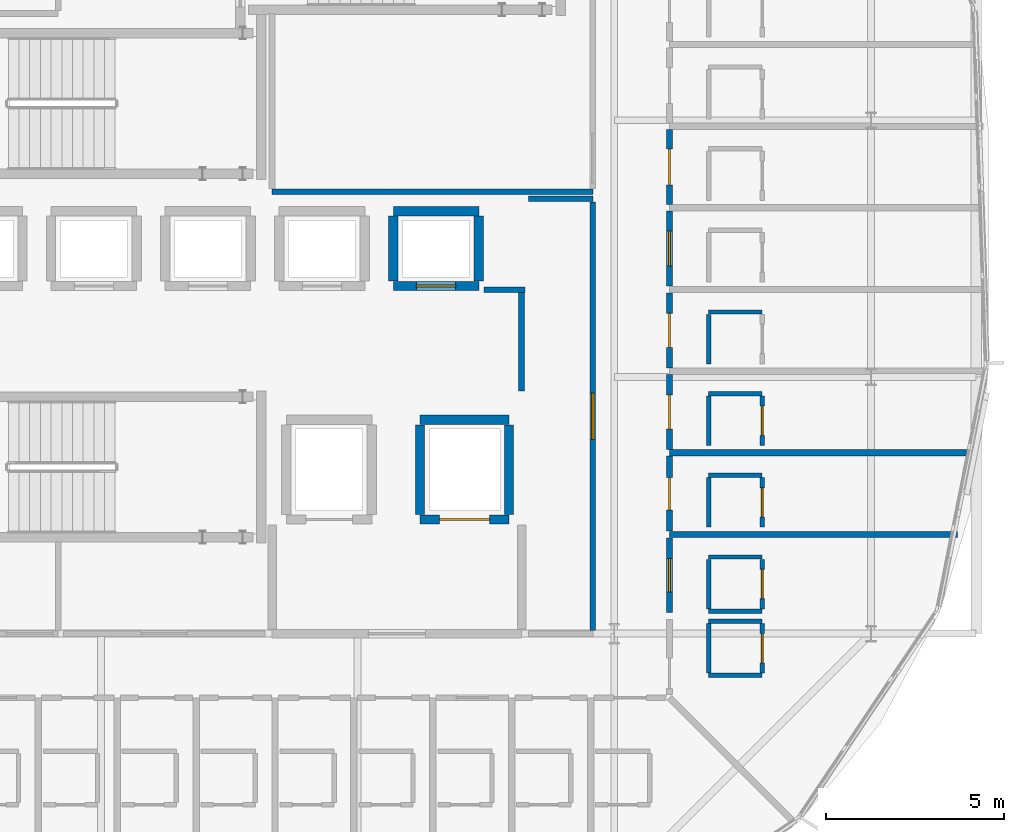
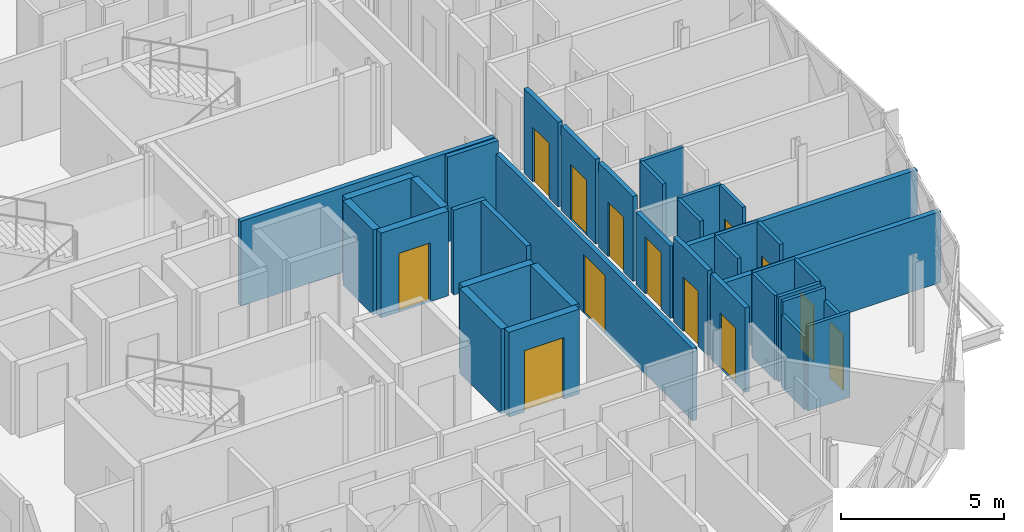
# One storey, part 17 of 25: 37 walls, 13 doors, 13 openings.
"""IFC4 building model written with IfcOpenShell, lengths in metres."""

from ifc_helpers import new_model, si_unit, direction, frame, frame_2d, origin, place, context, subcontext, project, spatial, rectangle, extrude, material, layer, layer_set, type_object, element, fill, save


model = new_model("IFC4")

# Units and contexts
model_context = context("Model", 3, precision=1e-05, world=origin(), true_north=direction((0.0, 1.0)))
body_context = subcontext(model_context, "Body", "Model", "MODEL_VIEW")
ifc_project = project(units=[si_unit("LENGTHUNIT", "METRE"), si_unit("AREAUNIT", "SQUARE_METRE"), si_unit("VOLUMEUNIT", "CUBIC_METRE"), si_unit("PLANEANGLEUNIT", "RADIAN"), si_unit("MASSUNIT", "GRAM", prefix="KILO")], contexts=[model_context])

# Site, building, storey
site_placement = place(None, origin())
site = spatial("IfcSite", under=ifc_project, at=site_placement, CompositionType="ELEMENT")
building_placement = place(site_placement, origin())
building = spatial("IfcBuilding", under=site, at=building_placement, Name="Zevrakil Square Congress Hotel", CompositionType="ELEMENT")
storey_placement = place(building_placement, frame((0.0, 0.0, 28.300048828125)))
storey = spatial("IfcBuildingStorey", under=building, at=storey_placement, Name="L08", CompositionType="ELEMENT", Elevation=28.300048828125)

# Walls
ifc_material_1 = material(Name="Gypsum Acoustic Stud Partition")
ifc_layer_1 = layer(ifc_material_1, 0.159912109375)
ifc_layer_set_1 = layer_set([ifc_layer_1], Name="Gypsum Acoustic Stud Partition")
wall_type_1 = type_object("IfcWallType", Name="WAL-CORR-160", PredefinedType="PARTITIONING", material=ifc_layer_set_1)
wall_1_placement = place(storey_placement, frame((146.39990234375, 29.199951171875, 0.0), z_axis=(0.0, 0.0, 1.0), x_axis=(1.0, 0.0, 0.0)))
element("IfcWall", 1, at=wall_1_placement, inside=storey, type_object=wall_type_1, Name="L08 interior partition PW-L08-1123", PredefinedType="PARTITIONING", context=body_context, shape_type="SweptSolid", body=[
    extrude(rectangle(XDim=9.0, YDim=0.159912109375, at=frame_2d((4.5, 0.0))), origin(), (0.0, 0.0, 1.0), 3.175048828125),
])
wall_2_placement = place(storey_placement, frame((153.60009765625, 29.0, 0.0), z_axis=(0.0, 0.0, 1.0), x_axis=(1.0, 0.0, 0.0)))
element("IfcWall", 2, at=wall_2_placement, inside=storey, type_object=wall_type_1, Name="L08 interior partition PW-L08-1128", PredefinedType="PARTITIONING", context=body_context, shape_type="SweptSolid", body=[
    extrude(rectangle(XDim=1.7998046875, YDim=0.159912109375, at=frame_2d((0.89990234375, 0.0))), origin(), (0.0, 0.0, 1.0), 3.175048828125),
])

# Wall, opening, door
wall_3_placement = place(storey_placement, frame((155.39990234375, 16.885009765625, 0.0), z_axis=(0.0, 0.0, 1.0), x_axis=(0.0, 1.0, 0.0)))
wall_3 = element("IfcWall", 3, at=wall_3_placement, inside=storey, type_object=wall_type_1, Name="L08 interior partition PW-L08-1129", PredefinedType="PARTITIONING", context=body_context, shape_type="SweptSolid", body=[
    extrude(rectangle(XDim=12.030029296875, YDim=0.159912109375, at=frame_2d((6.01513671875, 0.0))), origin(), (0.0, 0.0, 1.0), 2.7099609375),
])
opening_1_placement = place(wall_3_placement, frame((5.364990234375, 0.0, 0.0)))
opening_1 = element("IfcOpeningElement", 4, at=opening_1_placement, cuts=wall_3, Name="Opening ID-08", PredefinedType="OPENING", context=body_context, shape_type="SweptSolid", body=[
    extrude(rectangle(XDim=1.300048828125, YDim=2.199951171875, at=frame_2d((0.64990234375, 1.10009765625))), frame((0.0, 0.08984375, 0.0), z_axis=(0.0, -1.0, 0.0), x_axis=(1.0, 0.0, 0.0)), (0.0, 0.0, 1.0), 0.179931640625),
])
ifc_material_2 = material(Name="Service Corridor Leaf-and-Half Door")
door_type_1 = type_object("IfcDoorType", Name="DOR-BOH-130", OperationType="NOTDEFINED", PredefinedType="DOOR", material=ifc_material_2)
door_1_placement = place(opening_1_placement, origin())
door_1 = element("IfcDoor", 5, at=door_1_placement, inside=storey, type_object=door_type_1, Name="L08 interior door 441", OperationType="SINGLE_SWING_LEFT", OverallHeight=2.199951171875, OverallWidth=1.300048828125, PredefinedType="DOOR", context=body_context, shape_type="SweptSolid", body=[
    extrude(rectangle(XDim=1.300048828125, YDim=2.199951171875, at=frame_2d((0.64990234375, 1.10009765625))), frame((0.0, 0.02490234375, 0.0), z_axis=(0.0, -1.0, 0.0), x_axis=(1.0, 0.0, 0.0)), (0.0, 0.0, 1.0), 0.050048828125),
])
fill(opening_1, door_1)

# Walls
wall_4_placement = place(storey_placement, frame((152.35009765625, 26.449951171875, 0.0), z_axis=(0.0, 0.0, 1.0), x_axis=(1.0, 0.0, 0.0)))
element("IfcWall", 6, at=wall_4_placement, inside=storey, type_object=wall_type_1, Name="L08 interior partition PW-L08-1130", PredefinedType="PARTITIONING", context=body_context, shape_type="SweptSolid", body=[
    extrude(rectangle(XDim=1.14990234375, YDim=0.159912109375, at=frame_2d((0.574951171875, 0.0))), origin(), (0.0, 0.0, 1.0), 3.175048828125),
])
wall_5_placement = place(storey_placement, frame((153.39990234375, 23.60009765625, 0.0), z_axis=(0.0, 0.0, 1.0), x_axis=(0.0, 1.0, 0.0)))
element("IfcWall", 7, at=wall_5_placement, inside=storey, type_object=wall_type_1, Name="L08 interior partition PW-L08-1131", PredefinedType="PARTITIONING", context=body_context, shape_type="SweptSolid", body=[
    extrude(rectangle(XDim=2.7998046875, YDim=0.159912109375, at=frame_2d((1.39990234375, 0.0))), origin(), (0.0, 0.0, 1.0), 3.175048828125),
])

# Wall, opening, door
wall_6_placement = place(storey_placement, frame((157.550048828125, 17.385986328125, 0.0), z_axis=(0.0, 0.0, 1.0), x_axis=(0.0, 1.0, 0.0)))
wall_6 = element("IfcWall", 8, at=wall_6_placement, inside=storey, type_object=wall_type_1, Name="L08 interior partition PW-L08-1195", PredefinedType="PARTITIONING", context=body_context, shape_type="SweptSolid", body=[
    extrude(rectangle(XDim=2.100830078125, YDim=0.159912109375, at=frame_2d((1.05029296875, 0.0))), origin(), (0.0, 0.0, 1.0), 3.175048828125),
])
opening_2_placement = place(wall_6_placement, frame((0.58251953125, 0.0, 0.0)))
opening_2 = element("IfcOpeningElement", 9, at=opening_2_placement, cuts=wall_6, Name="Opening ID-H08", PredefinedType="OPENING", context=body_context, shape_type="SweptSolid", body=[
    extrude(rectangle(XDim=0.93603515625, YDim=2.070068359375, at=frame_2d((0.468017578125, 1.03515625))), frame((0.0, 0.08984375, 0.0), z_axis=(0.0, -1.0, 0.0), x_axis=(1.0, 0.0, 0.0)), (0.0, 0.0, 1.0), 0.179931640625),
])
ifc_material_3 = material(Name="Acoustic Timber Fire Door", Category="wood")
door_type_2 = type_object("IfcDoorType", Name="DOR-INT-H08", OperationType="NOTDEFINED", PredefinedType="DOOR", material=ifc_material_3)
door_2_placement = place(opening_2_placement, origin())
door_2 = element("IfcDoor", 10, at=door_2_placement, inside=storey, type_object=door_type_2, Name="L08 interior door 467", OperationType="SINGLE_SWING_LEFT", OverallHeight=2.070068359375, OverallWidth=0.93603515625, PredefinedType="DOOR", context=body_context, shape_type="SweptSolid", body=[
    extrude(rectangle(XDim=0.93603515625, YDim=2.070068359375, at=frame_2d((0.468017578125, 1.03515625))), frame((0.0, 0.02490234375, 0.0), z_axis=(0.0, -1.0, 0.0), x_axis=(1.0, 0.0, 0.0)), (0.0, 0.0, 1.0), 0.050048828125),
])
fill(opening_2, door_2)

wall_7_placement = place(storey_placement, frame((157.550048828125, 19.6767578125, 0.0), z_axis=(0.0, 0.0, 1.0), x_axis=(0.0, 1.0, 0.0)))
wall_7 = element("IfcWall", 11, at=wall_7_placement, inside=storey, type_object=wall_type_1, Name="L08 interior partition PW-L08-1201", PredefinedType="PARTITIONING", context=body_context, shape_type="SweptSolid", body=[
    extrude(rectangle(XDim=2.100830078125, YDim=0.159912109375, at=frame_2d((1.05029296875, 0.0))), origin(), (0.0, 0.0, 1.0), 3.175048828125),
])
opening_3_placement = place(wall_7_placement, frame((0.597900390625, 0.0, 0.0)))
opening_3 = element("IfcOpeningElement", 12, at=opening_3_placement, cuts=wall_7, Name="Opening ID-G03", PredefinedType="OPENING", context=body_context, shape_type="SweptSolid", body=[
    extrude(rectangle(XDim=0.905029296875, YDim=2.050048828125, at=frame_2d((0.45263671875, 1.02490234375))), frame((0.0, 0.08984375, 0.0), z_axis=(0.0, -1.0, 0.0), x_axis=(1.0, 0.0, 0.0)), (0.0, 0.0, 1.0), 0.179931640625),
])
ifc_material_4 = material(Name="Acoustic Timber Fire Door", Category="wood")
door_type_3 = type_object("IfcDoorType", Name="DOR-INT-G03", OperationType="NOTDEFINED", PredefinedType="DOOR", material=ifc_material_4)
door_3_placement = place(opening_3_placement, origin())
door_3 = element("IfcDoor", 13, at=door_3_placement, inside=storey, type_object=door_type_3, Name="L08 interior door 469", OperationType="SINGLE_SWING_LEFT", OverallHeight=2.050048828125, OverallWidth=0.905029296875, PredefinedType="DOOR", context=body_context, shape_type="SweptSolid", body=[
    extrude(rectangle(XDim=0.905029296875, YDim=2.050048828125, at=frame_2d((0.45263671875, 1.02490234375))), frame((0.0, 0.02490234375, 0.0), z_axis=(0.0, -1.0, 0.0), x_axis=(1.0, 0.0, 0.0)), (0.0, 0.0, 1.0), 0.050048828125),
])
fill(opening_3, door_3)

wall_8_placement = place(storey_placement, frame((157.550048828125, 21.9677734375, 0.0), z_axis=(0.0, 0.0, 1.0), x_axis=(0.0, 1.0, 0.0)))
wall_8 = element("IfcWall", 14, at=wall_8_placement, inside=storey, type_object=wall_type_1, Name="L08 interior partition PW-L08-1206", PredefinedType="PARTITIONING", context=body_context, shape_type="SweptSolid", body=[
    extrude(rectangle(XDim=2.100830078125, YDim=0.159912109375, at=frame_2d((1.05029296875, 0.0))), origin(), (0.0, 0.0, 1.0), 2.7099609375),
])
opening_4_placement = place(wall_8_placement, frame((0.5703125, 0.0, 0.0)))
opening_4 = element("IfcOpeningElement", 15, at=opening_4_placement, cuts=wall_8, Name="Opening ID-H10", PredefinedType="OPENING", context=body_context, shape_type="SweptSolid", body=[
    extrude(rectangle(XDim=0.9599609375, YDim=2.1298828125, at=frame_2d((0.47998046875, 1.06494140625))), frame((0.0, 0.08984375, 0.0), z_axis=(0.0, -1.0, 0.0), x_axis=(1.0, 0.0, 0.0)), (0.0, 0.0, 1.0), 0.179931640625),
])
ifc_material_5 = material(Name="Acoustic Timber Fire Door", Category="wood")
door_type_4 = type_object("IfcDoorType", Name="DOR-INT-H10", OperationType="NOTDEFINED", PredefinedType="DOOR", material=ifc_material_5)
door_4_placement = place(opening_4_placement, origin())
door_4 = element("IfcDoor", 16, at=door_4_placement, inside=storey, type_object=door_type_4, Name="L08 interior door 471", OperationType="SINGLE_SWING_LEFT", OverallHeight=2.1298828125, OverallWidth=0.9599609375, PredefinedType="DOOR", context=body_context, shape_type="SweptSolid", body=[
    extrude(rectangle(XDim=0.9599609375, YDim=2.1298828125, at=frame_2d((0.47998046875, 1.06494140625))), frame((0.0, 0.02490234375, 0.0), z_axis=(0.0, -1.0, 0.0), x_axis=(1.0, 0.0, 0.0)), (0.0, 0.0, 1.0), 0.050048828125),
])
fill(opening_4, door_4)

wall_9_placement = place(storey_placement, frame((157.550048828125, 24.258544921875, 0.0), z_axis=(0.0, 0.0, 1.0), x_axis=(0.0, 1.0, 0.0)))
wall_9 = element("IfcWall", 17, at=wall_9_placement, inside=storey, type_object=wall_type_1, Name="L08 interior partition PW-L08-1211", PredefinedType="PARTITIONING", context=body_context, shape_type="SweptSolid", body=[
    extrude(rectangle(XDim=2.10107421875, YDim=0.159912109375, at=frame_2d((1.050537109375, 0.0))), origin(), (0.0, 0.0, 1.0), 3.175048828125),
])
opening_5_placement = place(wall_9_placement, frame((0.572998046875, 0.0, 0.0)))
opening_5 = element("IfcOpeningElement", 18, at=opening_5_placement, cuts=wall_9, Name="Opening ID-G05", PredefinedType="OPENING", context=body_context, shape_type="SweptSolid", body=[
    extrude(rectangle(XDim=0.955078125, YDim=2.050048828125, at=frame_2d((0.4775390625, 1.02490234375))), frame((0.0, 0.08984375, 0.0), z_axis=(0.0, -1.0, 0.0), x_axis=(1.0, 0.0, 0.0)), (0.0, 0.0, 1.0), 0.179931640625),
])
ifc_material_6 = material(Name="Acoustic Timber Fire Door", Category="wood")
door_type_5 = type_object("IfcDoorType", Name="DOR-INT-G05", OperationType="NOTDEFINED", PredefinedType="DOOR", material=ifc_material_6)
door_5_placement = place(opening_5_placement, origin())
door_5 = element("IfcDoor", 19, at=door_5_placement, inside=storey, type_object=door_type_5, Name="L08 interior door 473", OperationType="SINGLE_SWING_LEFT", OverallHeight=2.050048828125, OverallWidth=0.955078125, PredefinedType="DOOR", context=body_context, shape_type="SweptSolid", body=[
    extrude(rectangle(XDim=0.955078125, YDim=2.050048828125, at=frame_2d((0.4775390625, 1.02490234375))), frame((0.0, 0.02490234375, 0.0), z_axis=(0.0, -1.0, 0.0), x_axis=(1.0, 0.0, 0.0)), (0.0, 0.0, 1.0), 0.050048828125),
])
fill(opening_5, door_5)

wall_10_placement = place(storey_placement, frame((157.550048828125, 26.549560546875, 0.0), z_axis=(0.0, 0.0, 1.0), x_axis=(0.0, 1.0, 0.0)))
wall_10 = element("IfcWall", 20, at=wall_10_placement, inside=storey, type_object=wall_type_1, Name="L08 interior partition PW-L08-1216", PredefinedType="PARTITIONING", context=body_context, shape_type="SweptSolid", body=[
    extrude(rectangle(XDim=2.100830078125, YDim=0.159912109375, at=frame_2d((1.05029296875, 0.0))), origin(), (0.0, 0.0, 1.0), 3.175048828125),
])
opening_6_placement = place(wall_10_placement, frame((0.55859375, 0.0, 0.0)))
opening_6 = element("IfcOpeningElement", 21, at=opening_6_placement, cuts=wall_10, Name="Opening ID-H12", PredefinedType="OPENING", context=body_context, shape_type="SweptSolid", body=[
    extrude(rectangle(XDim=0.98388671875, YDim=2.070068359375, at=frame_2d((0.491943359375, 1.03515625))), frame((0.0, 0.08984375, 0.0), z_axis=(0.0, -1.0, 0.0), x_axis=(1.0, 0.0, 0.0)), (0.0, 0.0, 1.0), 0.179931640625),
])
ifc_material_7 = material(Name="Acoustic Timber Fire Door", Category="wood")
door_type_6 = type_object("IfcDoorType", Name="DOR-INT-H12", OperationType="NOTDEFINED", PredefinedType="DOOR", material=ifc_material_7)
door_6_placement = place(opening_6_placement, origin())
door_6 = element("IfcDoor", 22, at=door_6_placement, inside=storey, type_object=door_type_6, Name="L08 interior door 475", OperationType="SINGLE_SWING_LEFT", OverallHeight=2.070068359375, OverallWidth=0.98388671875, PredefinedType="DOOR", context=body_context, shape_type="SweptSolid", body=[
    extrude(rectangle(XDim=0.98388671875, YDim=2.070068359375, at=frame_2d((0.491943359375, 1.03515625))), frame((0.0, 0.02490234375, 0.0), z_axis=(0.0, -1.0, 0.0), x_axis=(1.0, 0.0, 0.0)), (0.0, 0.0, 1.0), 0.050048828125),
])
fill(opening_6, door_6)

wall_11_placement = place(storey_placement, frame((157.550048828125, 28.840576171875, 0.0), z_axis=(0.0, 0.0, 1.0), x_axis=(0.0, 1.0, 0.0)))
wall_11 = element("IfcWall", 23, at=wall_11_placement, inside=storey, type_object=wall_type_1, Name="L08 interior partition PW-L08-1221", PredefinedType="PARTITIONING", context=body_context, shape_type="SweptSolid", body=[
    extrude(rectangle(XDim=2.100830078125, YDim=0.159912109375, at=frame_2d((1.05029296875, 0.0))), origin(), (0.0, 0.0, 1.0), 3.175048828125),
])
opening_7_placement = place(wall_11_placement, frame((0.548095703125, 0.0, 0.0)))
opening_7 = element("IfcOpeningElement", 24, at=opening_7_placement, cuts=wall_11, Name="Opening ID-G07", PredefinedType="OPENING", context=body_context, shape_type="SweptSolid", body=[
    extrude(rectangle(XDim=1.0048828125, YDim=2.050048828125, at=frame_2d((0.50244140625, 1.02490234375))), frame((0.0, 0.08984375, 0.0), z_axis=(0.0, -1.0, 0.0), x_axis=(1.0, 0.0, 0.0)), (0.0, 0.0, 1.0), 0.179931640625),
])
ifc_material_8 = material(Name="Acoustic Timber Fire Door", Category="wood")
door_type_7 = type_object("IfcDoorType", Name="DOR-INT-G07", OperationType="NOTDEFINED", PredefinedType="DOOR", material=ifc_material_8)
door_7_placement = place(opening_7_placement, origin())
door_7 = element("IfcDoor", 25, at=door_7_placement, inside=storey, type_object=door_type_7, Name="L08 interior door 477", OperationType="SINGLE_SWING_LEFT", OverallHeight=2.050048828125, OverallWidth=1.0048828125, PredefinedType="DOOR", context=body_context, shape_type="SweptSolid", body=[
    extrude(rectangle(XDim=1.0048828125, YDim=2.050048828125, at=frame_2d((0.50244140625, 1.02490234375))), frame((0.0, 0.02490234375, 0.0), z_axis=(0.0, -1.0, 0.0), x_axis=(1.0, 0.0, 0.0)), (0.0, 0.0, 1.0), 0.050048828125),
])
fill(opening_7, door_7)

# Walls
ifc_material_9 = material(Name="Moisture-Resistant Gypsum Partition")
ifc_layer_2 = layer(ifc_material_9, 0.1201171875)
ifc_layer_set_2 = layer_set([ifc_layer_2], Name="Moisture-Resistant Gypsum Partition")
wall_type_2 = type_object("IfcWallType", Name="WAL-ENS-120", PredefinedType="PARTITIONING", material=ifc_layer_set_2)
for number, where, z_axis, x_axis, name in (
    (26, (158.64990234375, 15.630859375, 0.0), (0.0, 0.0, 1.0), (1.0, 0.0, 0.0), "L08 interior partition PW-L08-1191"),
    (27, (158.64990234375, 17.15087890625, 0.0), (0.0, 0.0, 1.0), (1.0, 0.0, 0.0), "L08 interior partition PW-L08-1192"),
):
    element("IfcWall", number, at=place(storey_placement, frame(where, z_axis=z_axis, x_axis=x_axis)), inside=storey, type_object=wall_type_2, Name=name, PredefinedType="PARTITIONING", context=body_context, shape_type="SweptSolid", body=[
        extrude(rectangle(XDim=1.5, YDim=0.1201171875, at=frame_2d((0.75, 0.0))), origin(), (0.0, 0.0, 1.0), 3.175048828125),
    ])
wall_12_placement = place(storey_placement, frame((158.64990234375, 15.69580078125, 0.0), z_axis=(0.0, 0.0, 1.0), x_axis=(0.0, 1.0, 0.0)))
element("IfcWall", 28, at=wall_12_placement, inside=storey, type_object=wall_type_2, Name="L08 interior partition PW-L08-1193", PredefinedType="PARTITIONING", context=body_context, shape_type="SweptSolid", body=[
    extrude(rectangle(XDim=1.39013671875, YDim=0.1201171875, at=frame_2d((0.695068359375, 0.0))), origin(), (0.0, 0.0, 1.0), 2.7099609375),
])

# Wall, opening, door
wall_13_placement = place(storey_placement, frame((160.14990234375, 15.69580078125, 0.0), z_axis=(0.0, 0.0, 1.0), x_axis=(0.0, 1.0, 0.0)))
wall_13 = element("IfcWall", 29, at=wall_13_placement, inside=storey, type_object=wall_type_2, Name="L08 interior partition PW-L08-1194", PredefinedType="PARTITIONING", context=body_context, shape_type="SweptSolid", body=[
    extrude(rectangle(XDim=1.39013671875, YDim=0.1201171875, at=frame_2d((0.695068359375, 0.0))), origin(), (0.0, 0.0, 1.0), 2.7099609375),
])
opening_8_placement = place(wall_13_placement, frame((0.284912109375, 0.0, 0.0)))
opening_8 = element("IfcOpeningElement", 30, at=opening_8_placement, cuts=wall_13, Name="Opening ID-11", PredefinedType="OPENING", context=body_context, shape_type="SweptSolid", body=[
    extrude(rectangle(XDim=0.820068359375, YDim=2.080078125, at=frame_2d((0.41015625, 1.0400390625))), frame((0.0, 0.070068359375, 0.0), z_axis=(0.0, -1.0, 0.0), x_axis=(1.0, 0.0, 0.0)), (0.0, 0.0, 1.0), 0.14013671875),
])
ifc_material_10 = material(Name="Acoustic Timber Door", Category="wood")
door_type_8 = type_object("IfcDoorType", Name="DOR-INT-V01", OperationType="NOTDEFINED", PredefinedType="DOOR", material=ifc_material_10)
door_8_placement = place(opening_8_placement, origin())
door_8 = element("IfcDoor", 31, at=door_8_placement, inside=storey, type_object=door_type_8, Name="L08 interior door 466", OperationType="SINGLE_SWING_RIGHT", OverallHeight=2.080078125, OverallWidth=0.820068359375, PredefinedType="DOOR", context=body_context, shape_type="SweptSolid", body=[
    extrude(rectangle(XDim=0.820068359375, YDim=2.080078125, at=frame_2d((0.41015625, 1.0400390625))), frame((0.0, 0.02490234375, 0.0), z_axis=(0.0, -1.0, 0.0), x_axis=(1.0, 0.0, 0.0)), (0.0, 0.0, 1.0), 0.050048828125),
])
fill(opening_8, door_8)

# Walls
for number, where, z_axis, x_axis, name in (
    (32, (158.64990234375, 17.430908203125, 0.0), (0.0, 0.0, 1.0), (1.0, 0.0, 0.0), "L08 interior partition PW-L08-1196"),
    (33, (158.64990234375, 18.950927734375, 0.0), (0.0, 0.0, 1.0), (1.0, 0.0, 0.0), "L08 interior partition PW-L08-1197"),
):
    element("IfcWall", number, at=place(storey_placement, frame(where, z_axis=z_axis, x_axis=x_axis)), inside=storey, type_object=wall_type_2, Name=name, PredefinedType="PARTITIONING", context=body_context, shape_type="SweptSolid", body=[
        extrude(rectangle(XDim=1.5, YDim=0.1201171875, at=frame_2d((0.75, 0.0))), origin(), (0.0, 0.0, 1.0), 3.175048828125),
    ])
wall_14_placement = place(storey_placement, frame((158.64990234375, 17.495849609375, 0.0), z_axis=(0.0, 0.0, 1.0), x_axis=(0.0, 1.0, 0.0)))
element("IfcWall", 34, at=wall_14_placement, inside=storey, type_object=wall_type_2, Name="L08 interior partition PW-L08-1198", PredefinedType="PARTITIONING", context=body_context, shape_type="SweptSolid", body=[
    extrude(rectangle(XDim=1.39013671875, YDim=0.1201171875, at=frame_2d((0.695068359375, 0.0))), origin(), (0.0, 0.0, 1.0), 3.175048828125),
])

# Wall, opening, door
wall_15_placement = place(storey_placement, frame((160.14990234375, 17.495849609375, 0.0), z_axis=(0.0, 0.0, 1.0), x_axis=(0.0, 1.0, 0.0)))
wall_15 = element("IfcWall", 35, at=wall_15_placement, inside=storey, type_object=wall_type_2, Name="L08 interior partition PW-L08-1199", PredefinedType="PARTITIONING", context=body_context, shape_type="SweptSolid", body=[
    extrude(rectangle(XDim=1.39013671875, YDim=0.1201171875, at=frame_2d((0.695068359375, 0.0))), origin(), (0.0, 0.0, 1.0), 3.175048828125),
])
opening_9_placement = place(wall_15_placement, frame((0.284912109375, 0.0, 0.0)))
opening_9 = element("IfcOpeningElement", 36, at=opening_9_placement, cuts=wall_15, Name="Opening ID-11", PredefinedType="OPENING", context=body_context, shape_type="SweptSolid", body=[
    extrude(rectangle(XDim=0.820068359375, YDim=2.080078125, at=frame_2d((0.41015625, 1.0400390625))), frame((0.0, 0.070068359375, 0.0), z_axis=(0.0, -1.0, 0.0), x_axis=(1.0, 0.0, 0.0)), (0.0, 0.0, 1.0), 0.14013671875),
])
door_9_placement = place(opening_9_placement, origin())
door_9 = element("IfcDoor", 37, at=door_9_placement, inside=storey, type_object=door_type_8, Name="L08 interior door 468", OperationType="SINGLE_SWING_RIGHT", OverallHeight=2.080078125, OverallWidth=0.820068359375, PredefinedType="DOOR", context=body_context, shape_type="SweptSolid", body=[
    extrude(rectangle(XDim=0.820068359375, YDim=2.080078125, at=frame_2d((0.41015625, 1.0400390625))), frame((0.0, 0.02490234375, 0.0), z_axis=(0.0, -1.0, 0.0), x_axis=(1.0, 0.0, 0.0)), (0.0, 0.0, 1.0), 0.050048828125),
])
fill(opening_9, door_9)

# Walls
wall_16_placement = place(storey_placement, frame((158.64990234375, 21.24169921875, 0.0), z_axis=(0.0, 0.0, 1.0), x_axis=(1.0, 0.0, 0.0)))
element("IfcWall", 38, at=wall_16_placement, inside=storey, type_object=wall_type_2, Name="L08 interior partition PW-L08-1202", PredefinedType="PARTITIONING", context=body_context, shape_type="SweptSolid", body=[
    extrude(rectangle(XDim=1.5, YDim=0.1201171875, at=frame_2d((0.75, 0.0))), origin(), (0.0, 0.0, 1.0), 3.175048828125),
])
wall_17_placement = place(storey_placement, frame((158.64990234375, 19.786865234375, 0.0), z_axis=(0.0, 0.0, 1.0), x_axis=(0.0, 1.0, 0.0)))
element("IfcWall", 39, at=wall_17_placement, inside=storey, type_object=wall_type_2, Name="L08 interior partition PW-L08-1203", PredefinedType="PARTITIONING", context=body_context, shape_type="SweptSolid", body=[
    extrude(rectangle(XDim=1.389892578125, YDim=0.1201171875, at=frame_2d((0.69482421875, 0.0))), origin(), (0.0, 0.0, 1.0), 3.175048828125),
])

# Wall, opening, door
wall_18_placement = place(storey_placement, frame((160.14990234375, 19.786865234375, 0.0), z_axis=(0.0, 0.0, 1.0), x_axis=(0.0, 1.0, 0.0)))
wall_18 = element("IfcWall", 40, at=wall_18_placement, inside=storey, type_object=wall_type_2, Name="L08 interior partition PW-L08-1204", PredefinedType="PARTITIONING", context=body_context, shape_type="SweptSolid", body=[
    extrude(rectangle(XDim=1.389892578125, YDim=0.1201171875, at=frame_2d((0.69482421875, 0.0))), origin(), (0.0, 0.0, 1.0), 3.175048828125),
])
opening_10_placement = place(wall_18_placement, frame((0.284912109375, 0.0, 0.0)))
opening_10 = element("IfcOpeningElement", 41, at=opening_10_placement, cuts=wall_18, Name="Opening ID-11", PredefinedType="OPENING", context=body_context, shape_type="SweptSolid", body=[
    extrude(rectangle(XDim=0.820068359375, YDim=2.080078125, at=frame_2d((0.41015625, 1.0400390625))), frame((0.0, 0.070068359375, 0.0), z_axis=(0.0, -1.0, 0.0), x_axis=(1.0, 0.0, 0.0)), (0.0, 0.0, 1.0), 0.14013671875),
])
door_10_placement = place(opening_10_placement, origin())
door_10 = element("IfcDoor", 42, at=door_10_placement, inside=storey, type_object=door_type_8, Name="L08 interior door 470", OperationType="SINGLE_SWING_RIGHT", OverallHeight=2.080078125, OverallWidth=0.820068359375, PredefinedType="DOOR", context=body_context, shape_type="SweptSolid", body=[
    extrude(rectangle(XDim=0.820068359375, YDim=2.080078125, at=frame_2d((0.41015625, 1.0400390625))), frame((0.0, 0.02490234375, 0.0), z_axis=(0.0, -1.0, 0.0), x_axis=(1.0, 0.0, 0.0)), (0.0, 0.0, 1.0), 0.050048828125),
])
fill(opening_10, door_10)

# Walls
wall_19_placement = place(storey_placement, frame((158.64990234375, 23.53271484375, 0.0), z_axis=(0.0, 0.0, 1.0), x_axis=(1.0, 0.0, 0.0)))
element("IfcWall", 43, at=wall_19_placement, inside=storey, type_object=wall_type_2, Name="L08 interior partition PW-L08-1207", PredefinedType="PARTITIONING", context=body_context, shape_type="SweptSolid", body=[
    extrude(rectangle(XDim=1.5, YDim=0.1201171875, at=frame_2d((0.75, 0.0))), origin(), (0.0, 0.0, 1.0), 3.175048828125),
])
wall_20_placement = place(storey_placement, frame((158.64990234375, 22.07763671875, 0.0), z_axis=(0.0, 0.0, 1.0), x_axis=(0.0, 1.0, 0.0)))
element("IfcWall", 44, at=wall_20_placement, inside=storey, type_object=wall_type_2, Name="L08 interior partition PW-L08-1208", PredefinedType="PARTITIONING", context=body_context, shape_type="SweptSolid", body=[
    extrude(rectangle(XDim=1.39013671875, YDim=0.1201171875, at=frame_2d((0.695068359375, 0.0))), origin(), (0.0, 0.0, 1.0), 3.175048828125),
])

# Wall, opening, door
wall_21_placement = place(storey_placement, frame((160.14990234375, 22.07763671875, 0.0), z_axis=(0.0, 0.0, 1.0), x_axis=(0.0, 1.0, 0.0)))
wall_21 = element("IfcWall", 45, at=wall_21_placement, inside=storey, type_object=wall_type_2, Name="L08 interior partition PW-L08-1209", PredefinedType="PARTITIONING", context=body_context, shape_type="SweptSolid", body=[
    extrude(rectangle(XDim=1.39013671875, YDim=0.1201171875, at=frame_2d((0.695068359375, 0.0))), origin(), (0.0, 0.0, 1.0), 3.175048828125),
])
opening_11_placement = place(wall_21_placement, frame((0.284912109375, 0.0, 0.0)))
opening_11 = element("IfcOpeningElement", 46, at=opening_11_placement, cuts=wall_21, Name="Opening ID-11", PredefinedType="OPENING", context=body_context, shape_type="SweptSolid", body=[
    extrude(rectangle(XDim=0.820068359375, YDim=2.080078125, at=frame_2d((0.41015625, 1.0400390625))), frame((0.0, 0.070068359375, 0.0), z_axis=(0.0, -1.0, 0.0), x_axis=(1.0, 0.0, 0.0)), (0.0, 0.0, 1.0), 0.14013671875),
])
door_11_placement = place(opening_11_placement, origin())
door_11 = element("IfcDoor", 47, at=door_11_placement, inside=storey, type_object=door_type_8, Name="L08 interior door 472", OperationType="SINGLE_SWING_RIGHT", OverallHeight=2.080078125, OverallWidth=0.820068359375, PredefinedType="DOOR", context=body_context, shape_type="SweptSolid", body=[
    extrude(rectangle(XDim=0.820068359375, YDim=2.080078125, at=frame_2d((0.41015625, 1.0400390625))), frame((0.0, 0.02490234375, 0.0), z_axis=(0.0, -1.0, 0.0), x_axis=(1.0, 0.0, 0.0)), (0.0, 0.0, 1.0), 0.050048828125),
])
fill(opening_11, door_11)

# Walls
wall_22_placement = place(storey_placement, frame((158.64990234375, 25.823486328125, 0.0), z_axis=(0.0, 0.0, 1.0), x_axis=(1.0, 0.0, 0.0)))
element("IfcWall", 48, at=wall_22_placement, inside=storey, type_object=wall_type_2, Name="L08 interior partition PW-L08-1212", PredefinedType="PARTITIONING", context=body_context, shape_type="SweptSolid", body=[
    extrude(rectangle(XDim=1.5, YDim=0.1201171875, at=frame_2d((0.75, 0.0))), origin(), (0.0, 0.0, 1.0), 3.175048828125),
])
wall_23_placement = place(storey_placement, frame((158.64990234375, 24.36865234375, 0.0), z_axis=(0.0, 0.0, 1.0), x_axis=(0.0, 1.0, 0.0)))
element("IfcWall", 49, at=wall_23_placement, inside=storey, type_object=wall_type_2, Name="L08 interior partition PW-L08-1213", PredefinedType="PARTITIONING", context=body_context, shape_type="SweptSolid", body=[
    extrude(rectangle(XDim=1.389892578125, YDim=0.1201171875, at=frame_2d((0.69482421875, 0.0))), origin(), (0.0, 0.0, 1.0), 3.175048828125),
])
ifc_material_11 = material(Name="Gypsum Twin-Stud Party Partition")
ifc_layer_3 = layer(ifc_material_11, 0.179931640625)
ifc_layer_set_3 = layer_set([ifc_layer_3], Name="Gypsum Twin-Stud Party Partition")
wall_type_3 = type_object("IfcWallType", Name="WAL-PARTY-180", PredefinedType="PARTITIONING", material=ifc_layer_set_3)
wall_24_placement = place(storey_placement, frame((157.550048828125, 19.581787109375, 0.0), z_axis=(0.0, 0.0, 1.0), x_axis=(1.0, 0.0, 0.0)))
element("IfcWall", 50, at=wall_24_placement, inside=storey, type_object=wall_type_3, Name="L08 interior partition PW-L08-1200", PredefinedType="PARTITIONING", context=body_context, shape_type="SweptSolid", body=[
    extrude(rectangle(XDim=8.079833984375, YDim=0.179931640625, at=frame_2d((4.0400390625, 0.0))), origin(), (0.0, 0.0, 1.0), 2.659912109375),
])
wall_25_placement = place(storey_placement, frame((157.550048828125, 21.872802734375, 0.0), z_axis=(0.0, 0.0, 1.0), x_axis=(1.0, 0.0, 0.0)))
element("IfcWall", 51, at=wall_25_placement, inside=storey, type_object=wall_type_3, Name="L08 interior partition PW-L08-1205", PredefinedType="PARTITIONING", context=body_context, shape_type="SweptSolid", body=[
    extrude(rectangle(XDim=8.56884765625, YDim=0.179931640625, at=frame_2d((4.284423828125, 0.0))), origin(), (0.0, 0.0, 1.0), 2.659912109375),
])

# Wall, opening, door
ifc_material_12 = material(Name="Concrete C40/50", Category="concrete")
ifc_layer_4 = layer(ifc_material_12, 0.260009765625)
ifc_layer_set_4 = layer_set([ifc_layer_4], Name="Concrete C40/50")
wall_type_4 = type_object("IfcWallType", Name="WAL-SHAFT-260", PredefinedType="SHEAR", material=ifc_layer_set_4)
wall_26_placement = place(storey_placement, frame((149.800048828125, 26.550048828125, 0.0), z_axis=(0.0, 0.0, 1.0), x_axis=(1.0, 0.0, 0.0)))
wall_26 = element("IfcWall", 52, at=wall_26_placement, inside=storey, type_object=wall_type_4, Name="L08 HL5 lift shaft wall", PredefinedType="SHEAR", context=body_context, shape_type="SweptSolid", body=[
    extrude(rectangle(XDim=2.39990234375, YDim=0.260009765625, at=frame_2d((1.199951171875, 0.0))), origin(), (0.0, 0.0, 1.0), 3.175048828125),
])
opening_12_placement = place(wall_26_placement, frame((0.64990234375, 0.0, 0.0)))
opening_12 = element("IfcOpeningElement", 53, at=opening_12_placement, cuts=wall_26, Name="Opening LD-HL5", PredefinedType="OPENING", context=body_context, shape_type="SweptSolid", body=[
    extrude(rectangle(XDim=1.10009765625, YDim=2.199951171875, at=frame_2d((0.550048828125, 1.10009765625))), frame((0.0, 0.14013671875, 0.0), z_axis=(0.0, -1.0, 0.0), x_axis=(1.0, 0.0, 0.0)), (0.0, 0.0, 1.0), 0.280029296875),
])
ifc_material_13 = material(Name="Stainless Steel Sliding Lift Landing Door", Category="steel")
door_type_9 = type_object("IfcDoorType", Name="DOR-LIFT-LD110", OperationType="NOTDEFINED", PredefinedType="DOOR", material=ifc_material_13)
door_12_placement = place(opening_12_placement, origin())
door_12 = element("IfcDoor", 54, at=door_12_placement, inside=storey, type_object=door_type_9, Name="L08 HL5 sliding lift landing door", OperationType="SLIDING_TO_LEFT", OverallHeight=2.199951171875, OverallWidth=1.10009765625, PredefinedType="DOOR", context=body_context, shape_type="SweptSolid", body=[
    extrude(rectangle(XDim=1.10009765625, YDim=2.199951171875, at=frame_2d((0.550048828125, 1.10009765625))), frame((0.0, 0.02490234375, 0.0), z_axis=(0.0, -1.0, 0.0), x_axis=(1.0, 0.0, 0.0)), (0.0, 0.0, 1.0), 0.050048828125),
])
fill(opening_12, door_12)

# Walls
wall_27_placement = place(storey_placement, frame((149.800048828125, 28.64990234375, 0.0), z_axis=(0.0, 0.0, 1.0), x_axis=(1.0, 0.0, 0.0)))
element("IfcWall", 55, at=wall_27_placement, inside=storey, type_object=wall_type_4, Name="L08 HL5 lift shaft wall", PredefinedType="SHEAR", context=body_context, shape_type="SweptSolid", body=[
    extrude(rectangle(XDim=2.39990234375, YDim=0.260009765625, at=frame_2d((1.199951171875, 0.0))), origin(), (0.0, 0.0, 1.0), 3.175048828125),
])
for number, where, z_axis, x_axis, name in (
    (56, (149.800048828125, 26.68994140625, 0.0), (0.0, 0.0, 1.0), (0.0, 1.0, 0.0), "L08 HL5 lift shaft wall"),
    (57, (152.199951171875, 26.68994140625, 0.0), (0.0, 0.0, 1.0), (0.0, 1.0, 0.0), "L08 HL5 lift shaft wall"),
):
    element("IfcWall", number, at=place(storey_placement, frame(where, z_axis=z_axis, x_axis=x_axis)), inside=storey, type_object=wall_type_4, Name=name, PredefinedType="SHEAR", context=body_context, shape_type="SweptSolid", body=[
        extrude(rectangle(XDim=1.820068359375, YDim=0.260009765625, at=frame_2d((0.91015625, 0.0))), origin(), (0.0, 0.0, 1.0), 3.175048828125),
    ])

# Wall, opening, door
wall_28_placement = place(storey_placement, frame((150.550048828125, 20.0, 0.0), z_axis=(0.0, 0.0, 1.0), x_axis=(1.0, 0.0, 0.0)))
wall_28 = element("IfcWall", 58, at=wall_28_placement, inside=storey, type_object=wall_type_4, Name="L08 SL1 lift shaft wall", PredefinedType="SHEAR", context=body_context, shape_type="SweptSolid", body=[
    extrude(rectangle(XDim=2.5, YDim=0.260009765625, at=frame_2d((1.25, 0.0))), origin(), (0.0, 0.0, 1.0), 3.175048828125),
])
opening_13_placement = place(wall_28_placement, frame((0.550048828125, 0.0, 0.0)))
opening_13 = element("IfcOpeningElement", 59, at=opening_13_placement, cuts=wall_28, Name="Opening LD-SL1", PredefinedType="OPENING", context=body_context, shape_type="SweptSolid", body=[
    extrude(rectangle(XDim=1.39990234375, YDim=2.300048828125, at=frame_2d((0.699951171875, 1.14990234375))), frame((0.0, 0.14013671875, 0.0), z_axis=(0.0, -1.0, 0.0), x_axis=(1.0, 0.0, 0.0)), (0.0, 0.0, 1.0), 0.280029296875),
])
ifc_material_14 = material(Name="Goods Service Sliding Landing Door")
door_type_10 = type_object("IfcDoorType", Name="DOR-LIFT-LD140", OperationType="NOTDEFINED", PredefinedType="DOOR", material=ifc_material_14)
door_13_placement = place(opening_13_placement, origin())
door_13 = element("IfcDoor", 60, at=door_13_placement, inside=storey, type_object=door_type_10, Name="L08 SL1 sliding lift landing door", OperationType="SLIDING_TO_LEFT", OverallHeight=2.300048828125, OverallWidth=1.39990234375, PredefinedType="DOOR", context=body_context, shape_type="SweptSolid", body=[
    extrude(rectangle(XDim=1.39990234375, YDim=2.300048828125, at=frame_2d((0.699951171875, 1.14990234375))), frame((0.0, 0.02490234375, 0.0), z_axis=(0.0, -1.0, 0.0), x_axis=(1.0, 0.0, 0.0)), (0.0, 0.0, 1.0), 0.050048828125),
])
fill(opening_13, door_13)

# Walls
wall_29_placement = place(storey_placement, frame((150.550048828125, 22.800048828125, 0.0), z_axis=(0.0, 0.0, 1.0), x_axis=(1.0, 0.0, 0.0)))
element("IfcWall", 61, at=wall_29_placement, inside=storey, type_object=wall_type_4, Name="L08 SL1 lift shaft wall", PredefinedType="SHEAR", context=body_context, shape_type="SweptSolid", body=[
    extrude(rectangle(XDim=2.5, YDim=0.260009765625, at=frame_2d((1.25, 0.0))), origin(), (0.0, 0.0, 1.0), 3.175048828125),
])
for number, where, z_axis, x_axis, name in (
    (62, (150.550048828125, 20.139892578125, 0.0), (0.0, 0.0, 1.0), (0.0, 1.0, 0.0), "L08 SL1 lift shaft wall"),
    (63, (153.050048828125, 20.139892578125, 0.0), (0.0, 0.0, 1.0), (0.0, 1.0, 0.0), "L08 SL1 lift shaft wall"),
):
    element("IfcWall", number, at=place(storey_placement, frame(where, z_axis=z_axis, x_axis=x_axis)), inside=storey, type_object=wall_type_4, Name=name, PredefinedType="SHEAR", context=body_context, shape_type="SweptSolid", body=[
        extrude(rectangle(XDim=2.52001953125, YDim=0.260009765625, at=frame_2d((1.260009765625, 0.0))), origin(), (0.0, 0.0, 1.0), 3.175048828125),
    ])

save(model, "model.ifc")
